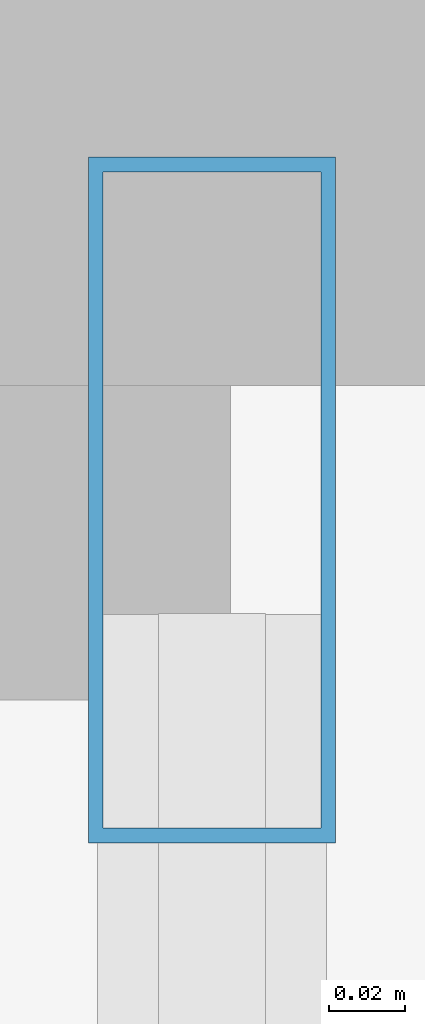
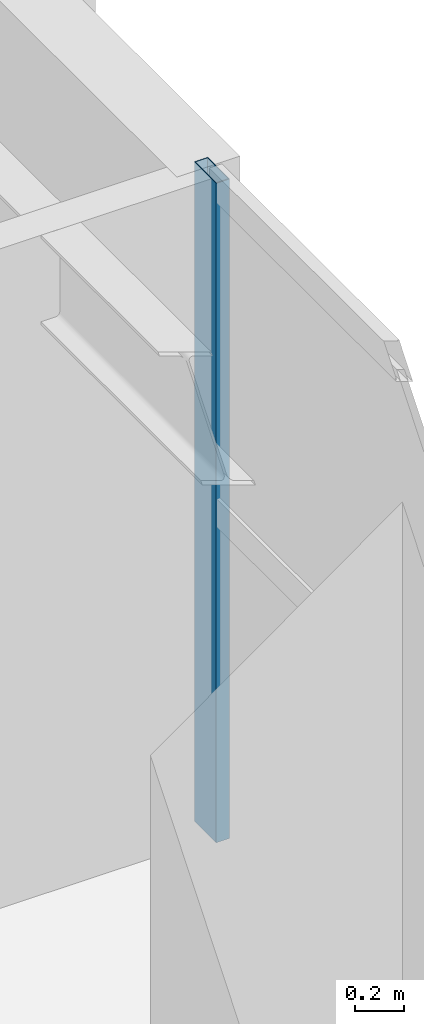
# One storey, part 13 of 24: 1 member, 1 element without a shape of its own.
"""IFC4 building model written with IfcOpenShell, lengths in metres."""

from ifc_helpers import new_model, si_unit, direction, frame, origin, origin_2d, place, context, subcontext, project, spatial, hollow_rectangle, extrude, source, transform, mapped, material, layer, layer_set, material_profile, profile_set, type_object, element, aggregate, save


model = new_model("IFC4")

# Units and contexts
model_context = context("Model", 3, precision=1e-05, world=origin(), true_north=direction((0.0, 1.0)))
body_context = subcontext(model_context, "Body", "Model", "MODEL_VIEW")
ifc_project = project(units=[si_unit("LENGTHUNIT", "METRE"), si_unit("AREAUNIT", "SQUARE_METRE"), si_unit("VOLUMEUNIT", "CUBIC_METRE"), si_unit("PLANEANGLEUNIT", "RADIAN"), si_unit("MASSUNIT", "GRAM", prefix="KILO")], contexts=[model_context])

# Site, building, storey
site_placement = place(None, origin())
site = spatial("IfcSite", under=ifc_project, at=site_placement, CompositionType="ELEMENT")
building_placement = place(site_placement, origin())
building = spatial("IfcBuilding", under=site, at=building_placement, Name="Khoralis Quay Care Tower", CompositionType="ELEMENT")
storey_placement = place(building_placement, frame((0.0, 0.0, 40.5)))
storey = spatial("IfcBuildingStorey", under=building, at=storey_placement, Name="L10", CompositionType="ELEMENT", Elevation=40.5)

# Curtain wall, member
ifc_material = material(Name="Pale anodised aluminium", Category="aluminium")
ifc_layer = layer(ifc_material, 0.179931640625)
ifc_layer_set = layer_set([ifc_layer], Name="Pale anodised aluminium")
curtain_wall_type = type_object("IfcCurtainWallType", Name="CW-SYS-Z1", PredefinedType="NOTDEFINED", material=ifc_layer_set)
curtain_wall_placement = place(storey_placement, origin())
curtain_wall = element("IfcCurtainWall", 1, at=curtain_wall_placement, inside=storey, type_object=curtain_wall_type, Name="L10 Unitised Curtain Wall CW-L10-P1-E5", PredefinedType="NOTDEFINED")
ifc_material_profile = material_profile(ifc_material, hollow_rectangle(XDim=0.06494140625, YDim=0.179931640625, WallThickness=0.00390625, at=origin_2d()), Name="Pale anodised aluminium")
ifc_profile_set = profile_set([ifc_material_profile], Name="Pale anodised aluminium")
member_type = type_object("IfcMemberType", Name="CW-MUL-180", PredefinedType="MULLION", material=ifc_profile_set)
shared_shape = source(origin(), body_context, "Body", "SweptSolid", [
    extrude(hollow_rectangle(XDim=0.06494140625, YDim=0.179931640625, WallThickness=0.00390625, at=origin_2d()), origin(), (0.0, 0.0, 1.0), 3.320068359375),
])
member_placement = place(storey_placement, frame((47.85009765625, 32.429931640625, 0.0), z_axis=(0.0, 0.0, 1.0), x_axis=(-1.0, 0.0, 0.0)))
member = element("IfcMember", 2, at=member_placement, type_object=member_type, Name="CW1 mullion 6", PredefinedType="MULLION", context=body_context, shape_type="MappedRepresentation", body=[
    mapped(shared_shape, transform((0.0, 0.0, 0.0), scale=1.0)),
])
aggregate(curtain_wall, [member])

save(model, "model.ifc")
